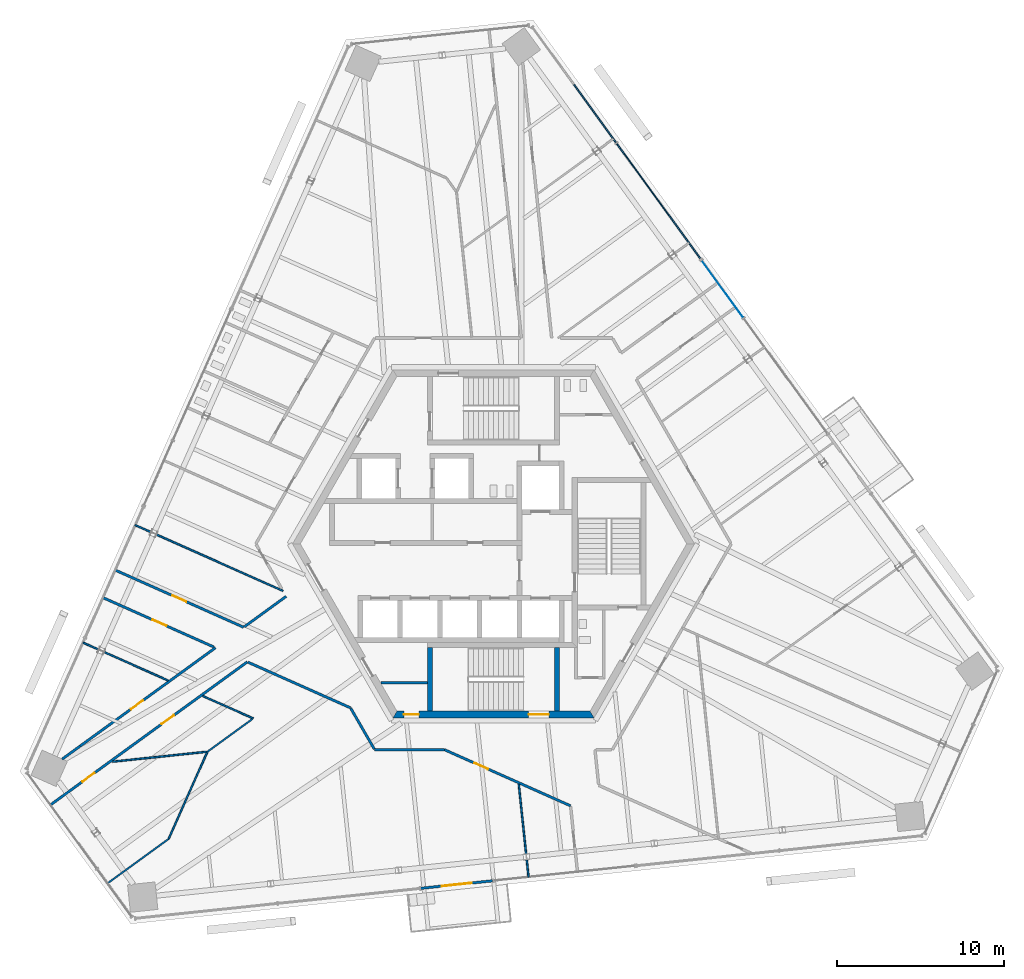
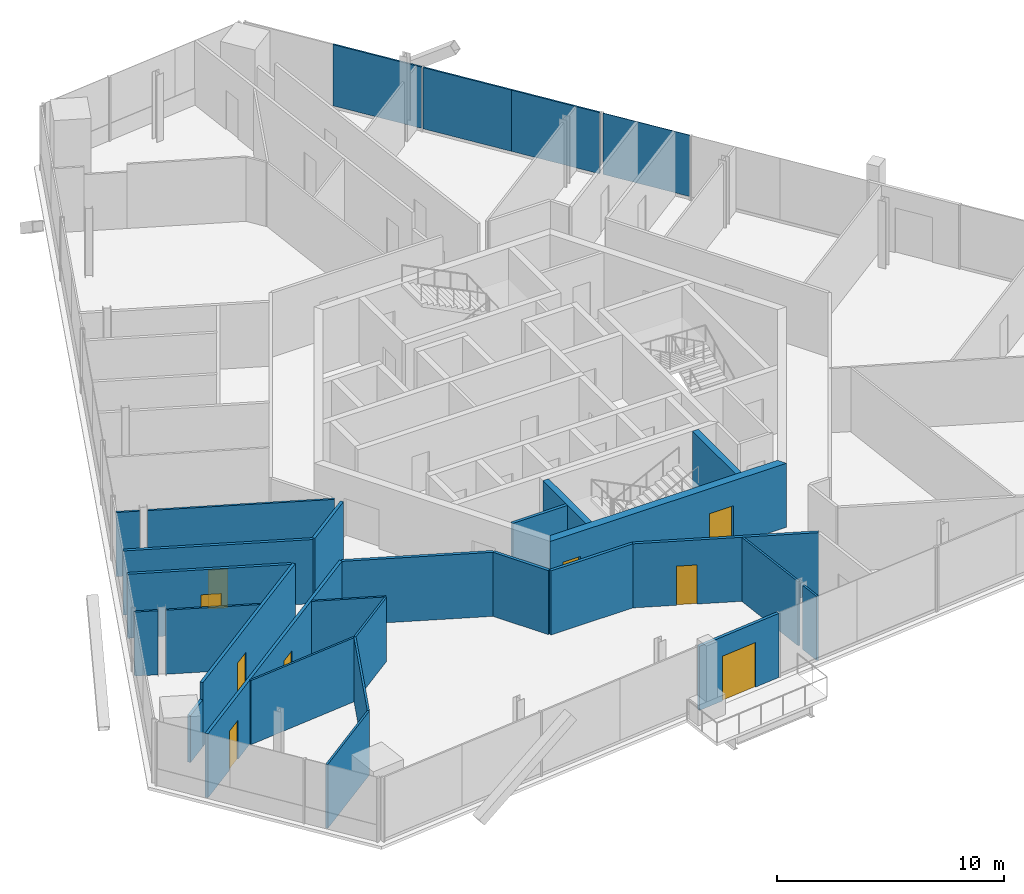
# One storey, part 11 of 19: 26 walls, 9 doors, 4 plates, 9 openings, 2 elements without a shape of their own.
"""IFC4 building model written with IfcOpenShell, lengths in metres."""

from ifc_helpers import new_model, si_unit, direction, frame, frame_2d, origin, origin_2d, place, context, subcontext, project, spatial, polyline, rectangle, outline, extrude, source, transform, mapped, material, layer, layer_set, type_object, element, fill, aggregate, save


model = new_model("IFC4")

# Units and contexts
model_context = context("Model", 3, precision=1e-05, world=origin(), true_north=direction((0.0, 1.0)))
body_context = subcontext(model_context, "Body", "Model", "MODEL_VIEW")
ifc_project = project(units=[si_unit("LENGTHUNIT", "METRE"), si_unit("AREAUNIT", "SQUARE_METRE"), si_unit("VOLUMEUNIT", "CUBIC_METRE"), si_unit("PLANEANGLEUNIT", "RADIAN"), si_unit("MASSUNIT", "GRAM", prefix="KILO")], contexts=[model_context])

# Site, building, storey
site_placement = place(None, origin())
site = spatial("IfcSite", under=ifc_project, at=site_placement, CompositionType="ELEMENT")
building_placement = place(site_placement, origin())
building = spatial("IfcBuilding", under=site, at=building_placement, Name="Triune Harvest Tower", CompositionType="ELEMENT")
storey_placement = place(building_placement, frame((0.0, 0.0, 223.300048828125)))
storey = spatial("IfcBuildingStorey", under=building, at=storey_placement, Name="L58", CompositionType="ELEMENT", Elevation=223.300048828125)

# Curtain wall, plate
ifc_material_1 = material(Name="Aluminium bronze anodised", Category="aluminium")
curtain_wall_type_1 = type_object("IfcCurtainWallType", Name="CW-6 Balcony window wall", PredefinedType="NOTDEFINED", material=ifc_material_1)
curtain_wall_1_placement = place(storey_placement, origin())
curtain_wall_1 = element("IfcCurtainWall", 1, at=curtain_wall_1_placement, inside=storey, type_object=curtain_wall_type_1, Name="CW-6 B6-F1 L58 run 2")
ifc_material_2 = material(Name="Glass", Category="glass")
ifc_layer_1 = layer(ifc_material_2, 0.030029296875)
ifc_layer_set_1 = layer_set([ifc_layer_1], Name="Glass")
plate_type_1 = type_object("IfcPlateType", Name="GL-6 panel 30", PredefinedType="CURTAIN_PANEL", material=ifc_layer_set_1)
shared_shape_1 = source(origin(), body_context, "Body", "SweptSolid", [
    extrude(rectangle(XDim=4.19091796875, YDim=0.030029296875, at=origin_2d()), origin(), (0.0, 0.0, 1.0), 3.2900390625),
])
plate_1_placement = place(storey_placement, frame((13.676025390625, 15.20849609375, 0.14990234375), z_axis=(0.0, 0.0, 1.0), x_axis=(-0.587785566124, 0.809016766363, 0.0)))
plate_1 = element("IfcPlate", 2, at=plate_1_placement, type_object=plate_type_1, Name="CW-6 panel B6-F1 2.3", PredefinedType="CURTAIN_PANEL", context=body_context, shape_type="MappedRepresentation", body=[
    mapped(shared_shape_1, transform((0.0, 0.0, 0.0), scale=1.0)),
])
aggregate(curtain_wall_1, [plate_1])

# Curtain wall, plates
ifc_material_3 = material(Name="Aluminium bronze anodised", Category="aluminium")
curtain_wall_type_2 = type_object("IfcCurtainWallType", Name="CW-10 Balcony window wall with insulated spandrel infill", PredefinedType="NOTDEFINED", material=ifc_material_3)
curtain_wall_2_placement = place(storey_placement, origin())
curtain_wall_2 = element("IfcCurtainWall", 3, at=curtain_wall_2_placement, inside=storey, type_object=curtain_wall_type_2, Name="CW-10 B6-F1 L58 run 1002")
ifc_material_4 = material(Name="Insulated spandrel panel, bronze aluminium pan", Category="aluminium")
ifc_layer_2 = layer(ifc_material_4, 0.080078125)
ifc_layer_set_2 = layer_set([ifc_layer_2], Name="Insulated spandrel panel, bronze aluminium pan")
plate_type_2 = type_object("IfcPlateType", Name="SP-1 insulated spandrel panel 80", PredefinedType="CURTAIN_PANEL", material=ifc_layer_set_2)
shared_shape_2 = source(origin(), body_context, "Body", "SweptSolid", [
    extrude(rectangle(XDim=4.228515625, YDim=0.080078125, at=origin_2d()), origin(), (0.0, 0.0, 1.0), 3.2900390625),
])
plate_2_placement = place(storey_placement, frame((11.11328125, 18.73583984375, 0.14990234375), z_axis=(0.0, 0.0, 1.0), x_axis=(-0.587785751519, 0.809016631665, 0.0)))
plate_2 = element("IfcPlate", 4, at=plate_2_placement, type_object=plate_type_2, Name="CW-10 panel B6-F1 1002.1", PredefinedType="CURTAIN_PANEL", context=body_context, shape_type="MappedRepresentation", body=[
    mapped(shared_shape_2, transform((0.0, 0.0, 0.0), scale=1.0)),
])
shared_shape_3 = source(origin(), body_context, "Body", "SweptSolid", [
    extrude(rectangle(XDim=4.26611328125, YDim=0.080078125, at=origin_2d()), origin(), (0.0, 0.0, 1.0), 3.2900390625),
])
plate_3_placement = place(storey_placement, frame((8.616943359375, 22.171875, 0.14990234375), z_axis=(0.0, 0.0, 1.0), x_axis=(-0.587785751519, 0.809016631665, 0.0)))
plate_3 = element("IfcPlate", 5, at=plate_3_placement, type_object=plate_type_2, Name="CW-10 panel B6-F1 1002.2", PredefinedType="CURTAIN_PANEL", context=body_context, shape_type="MappedRepresentation", body=[
    mapped(shared_shape_3, transform((0.0, 0.0, 0.0), scale=1.0)),
])
plate_4_placement = place(storey_placement, frame((6.065185546875, 25.683837890625, 0.14990234375), z_axis=(0.0, 0.0, 1.0), x_axis=(-0.587785751519, 0.809016631665, 0.0)))
plate_4 = element("IfcPlate", 6, at=plate_4_placement, type_object=plate_type_2, Name="CW-10 panel B6-F1 1002.3", PredefinedType="CURTAIN_PANEL", context=body_context, shape_type="MappedRepresentation", body=[
    mapped(shared_shape_3, transform((0.0, 0.0, 0.0), scale=1.0)),
])
aggregate(curtain_wall_2, [plate_2, plate_3, plate_4])

# Wall
ifc_material_5 = material(Name="Gypsum board on steel studs", Category="steel")
ifc_layer_3 = layer(ifc_material_5, 0.14990234375)
ifc_layer_set_3 = layer_set([ifc_layer_3], Name="Gypsum board on steel studs")
wall_type_1 = type_object("IfcWallType", Name="Fire Partition 150 mm", PredefinedType="PARTITIONING", material=ifc_layer_set_3)
wall_1_placement = place(storey_placement, frame((-14.666015625, -7.064697265625, 0.0), z_axis=(0.0, 0.0, 1.0), x_axis=(0.91354860904, -0.406729564847, 0.0)))
element("IfcWall", 7, at=wall_1_placement, inside=storey, type_object=wall_type_1, Name="Partition L58 018", PredefinedType="PARTITIONING", context=body_context, shape_type="SweptSolid", body=[
    extrude(rectangle(XDim=6.705322265625, YDim=0.14990234375, at=frame_2d((3.3525390625, 0.0))), origin(), (0.0, 0.0, 1.0), 3.43994140625),
])

# Wall, opening, door
wall_2_placement = place(storey_placement, frame((-22.59326171875, -1.564697265625, 0.0), z_axis=(0.0, 0.0, 1.0), x_axis=(0.913540463394, -0.406747860157, 0.0)))
wall_2 = element("IfcWall", 8, at=wall_2_placement, inside=storey, type_object=wall_type_1, Name="Partition L58 020", PredefinedType="PARTITIONING", context=body_context, shape_type="SweptSolid", body=[
    extrude(rectangle(XDim=8.399658203125, YDim=0.14990234375, at=frame_2d((4.19970703125, 0.0))), origin(), (0.0, 0.0, 1.0), 3.43994140625),
])
opening_1_placement = place(wall_2_placement, frame((3.74951171875, 0.0, 0.0)))
opening_1 = element("IfcOpeningElement", 9, at=opening_1_placement, cuts=wall_2, Name="Opening L58-019", PredefinedType="OPENING", context=body_context, shape_type="SweptSolid", body=[
    extrude(rectangle(XDim=0.89990234375, YDim=2.10009765625, at=frame_2d((0.449951171875, 1.050048828125))), frame((0.0, 0.0849609375, 0.0), z_axis=(0.0, -1.0, 0.0), x_axis=(1.0, 0.0, 0.0)), (0.0, 0.0, 1.0), 0.169921875),
])
ifc_material_6 = material(Name="Timber and steel door set", Category="steel")
door_type_1 = type_object("IfcDoorType", Name="Single leaf door FD30 left hand 900 x 2100", OperationType="SINGLE_SWING_LEFT", PredefinedType="DOOR", material=ifc_material_6)
door_1_placement = place(opening_1_placement, origin())
door_1 = element("IfcDoor", 10, at=door_1_placement, inside=storey, type_object=door_type_1, Name="Door L58-019 Office 58.19", OperationType="SINGLE_SWING_LEFT", OverallHeight=2.10009765625, OverallWidth=0.89990234375, PredefinedType="DOOR", context=body_context, shape_type="SweptSolid", body=[
    extrude(rectangle(XDim=0.89990234375, YDim=2.10009765625, at=frame_2d((0.449951171875, 1.050048828125))), frame((0.0, 0.02490234375, 0.0), z_axis=(0.0, -1.0, 0.0), x_axis=(1.0, 0.0, 0.0)), (0.0, 0.0, 1.0), 0.050048828125),
])
fill(opening_1, door_1)

# Wall, openings, doors
wall_3_placement = place(storey_placement, frame((-26.452392578125, -15.585205078125, 0.0), z_axis=(0.0, 0.0, 1.0), x_axis=(0.809019490355, 0.587781816855, 0.0)))
wall_3 = element("IfcWall", 11, at=wall_3_placement, inside=storey, type_object=wall_type_1, Name="Partition L58 046", PredefinedType="PARTITIONING", context=body_context, shape_type="SweptSolid", body=[
    extrude(rectangle(XDim=14.5234375, YDim=0.14990234375, at=frame_2d((7.26171875, 0.0))), origin(), (0.0, 0.0, 1.0), 3.43994140625),
])
opening_2_placement = place(wall_3_placement, frame((8.201904296875, 0.0, 0.0)))
opening_2 = element("IfcOpeningElement", 12, at=opening_2_placement, cuts=wall_3, Name="Opening L58-021", PredefinedType="OPENING", context=body_context, shape_type="SweptSolid", body=[
    extrude(rectangle(XDim=0.89990234375, YDim=2.10009765625, at=frame_2d((0.449951171875, 1.050048828125))), frame((0.0, 0.0849609375, 0.0), z_axis=(0.0, -1.0, 0.0), x_axis=(1.0, 0.0, 0.0)), (0.0, 0.0, 1.0), 0.169921875),
])
opening_3_placement = place(wall_3_placement, frame((2.35009765625, 0.0, 0.0)))
opening_3 = element("IfcOpeningElement", 13, at=opening_3_placement, cuts=wall_3, Name="Opening L58-022", PredefinedType="OPENING", context=body_context, shape_type="SweptSolid", body=[
    extrude(rectangle(XDim=0.89990234375, YDim=2.10009765625, at=frame_2d((0.449951171875, 1.050048828125))), frame((0.0, 0.0849609375, 0.0), z_axis=(0.0, -1.0, 0.0), x_axis=(1.0, 0.0, 0.0)), (0.0, 0.0, 1.0), 0.169921875),
])
door_2_placement = place(opening_2_placement, origin())
door_2 = element("IfcDoor", 14, at=door_2_placement, inside=storey, type_object=door_type_1, Name="Door L58-021 Pantry 58.21", OperationType="SINGLE_SWING_LEFT", OverallHeight=2.10009765625, OverallWidth=0.89990234375, PredefinedType="DOOR", context=body_context, shape_type="SweptSolid", body=[
    extrude(rectangle(XDim=0.89990234375, YDim=2.10009765625, at=frame_2d((0.449951171875, 1.050048828125))), frame((0.0, 0.02490234375, 0.0), z_axis=(0.0, -1.0, 0.0), x_axis=(1.0, 0.0, 0.0)), (0.0, 0.0, 1.0), 0.050048828125),
])
fill(opening_2, door_2)
ifc_material_7 = material(Name="Timber and steel door set", Category="steel")
door_type_2 = type_object("IfcDoorType", Name="Single leaf door FD30 right hand 900 x 2100", OperationType="SINGLE_SWING_RIGHT", PredefinedType="DOOR", material=ifc_material_7)
door_3_placement = place(opening_3_placement, origin())
door_3 = element("IfcDoor", 15, at=door_3_placement, inside=storey, type_object=door_type_2, Name="Door L58-022 Office 58.22", OperationType="SINGLE_SWING_RIGHT", OverallHeight=2.10009765625, OverallWidth=0.89990234375, PredefinedType="DOOR", context=body_context, shape_type="SweptSolid", body=[
    extrude(rectangle(XDim=0.89990234375, YDim=2.10009765625, at=frame_2d((0.449951171875, 1.050048828125))), frame((0.0, 0.02490234375, 0.0), z_axis=(0.0, -1.0, 0.0), x_axis=(1.0, 0.0, 0.0)), (0.0, 0.0, 1.0), 0.050048828125),
])
fill(opening_3, door_3)

# Walls
ifc_material_8 = material(Name="Gypsum board on steel studs", Category="steel")
ifc_layer_4 = layer(ifc_material_8, 0.10009765625)
ifc_layer_set_4 = layer_set([ifc_layer_4], Name="Gypsum board on steel studs")
wall_type_2 = type_object("IfcWallType", Name="Partition 100 mm", PredefinedType="PARTITIONING", material=ifc_layer_set_4)
wall_4_placement = place(storey_placement, frame((-22.7412109375, -13.006103515625, 0.0), z_axis=(0.0, 0.0, 1.0), x_axis=(0.994522103809, 0.10452648007, 0.0)))
element("IfcWall", 16, at=wall_4_placement, inside=storey, type_object=wall_type_2, Name="Partition L58 038", PredefinedType="PARTITIONING", context=body_context, shape_type="SweptSolid", body=[
    extrude(rectangle(XDim=5.61962890625, YDim=0.10009765625, at=frame_2d((2.809814453125, 0.0))), origin(), (0.0, 0.0, 1.0), 3.43994140625),
])
wall_5_placement = place(storey_placement, frame((-23.048828125, -20.27001953125, 0.0), z_axis=(0.0, 0.0, 1.0), x_axis=(0.809027057084, 0.587771401913, 0.0)))
element("IfcWall", 17, at=wall_5_placement, inside=storey, type_object=wall_type_2, Name="Partition L58 042", PredefinedType="PARTITIONING", context=body_context, shape_type="SweptSolid", body=[
    extrude(rectangle(XDim=4.49755859375, YDim=0.10009765625, at=frame_2d((2.248779296875, 0.0))), origin(), (0.0, 0.0, 1.0), 3.43994140625),
])
wall_6_placement = place(storey_placement, frame((-17.082763671875, -12.41162109375, 0.0), z_axis=(0.0, 0.0, 1.0), x_axis=(0.809013420252, 0.587790171619, 0.0)))
element("IfcWall", 18, at=wall_6_placement, inside=storey, type_object=wall_type_2, Name="Partition L58 043", PredefinedType="PARTITIONING", context=body_context, shape_type="SweptSolid", body=[
    extrude(rectangle(XDim=3.310791015625, YDim=0.10009765625, at=frame_2d((1.6552734375, 0.0))), origin(), (0.0, 0.0, 1.0), 3.43994140625),
])
wall_7_placement = place(storey_placement, frame((-19.40234375, -17.620361328125, 0.0), z_axis=(0.0, 0.0, 1.0), x_axis=(0.406758110458, 0.913535899446, 0.0)))
element("IfcWall", 19, at=wall_7_placement, inside=storey, type_object=wall_type_2, Name="Partition L58 059", PredefinedType="PARTITIONING", context=body_context, shape_type="SweptSolid", body=[
    extrude(rectangle(XDim=5.701904296875, YDim=0.10009765625, at=frame_2d((2.85107421875, 0.0))), origin(), (0.0, 0.0, 1.0), 3.43994140625),
])

# Wall, openings, doors
ifc_material_9 = material(Name="Concrete 70 MPa", Category="concrete")
ifc_layer_5 = layer(ifc_material_9, 0.39990234375)
ifc_layer_set_5 = layer_set([ifc_layer_5], Name="Concrete 70 MPa")
wall_type_3 = type_object("IfcWallType", Name="Core wall 400", PredefinedType="SHEAR", material=ifc_layer_set_5)
shared_shape_4 = source(origin(), body_context, "Body", "SweptSolid", [
    extrude(outline(polyline([(-0.115478515625, -0.199951171875), (11.884521484375, -0.199951171875), (11.653564453125, 0.199951171875), (0.115478515625, 0.199951171875), (-0.115478515625, -0.199951171875)])), origin(), (0.0, 0.0, 1.0), 3.43994140625),
])
wall_8_placement = place(storey_placement, frame((-5.884521484375, -10.1923828125, 0.0), z_axis=(0.0, 0.0, 1.0), x_axis=(1.0, 0.0, 0.0)))
wall_8 = element("IfcWall", 20, at=wall_8_placement, inside=storey, type_object=wall_type_3, Name="Hexagon 4 wall", PredefinedType="SHEAR", context=body_context, shape_type="MappedRepresentation", body=[
    mapped(shared_shape_4, transform((0.0, 0.0, 0.0), scale=1.0)),
])
opening_4_placement = place(wall_8_placement, frame((7.984619140625, 0.0, 0.0)))
opening_4 = element("IfcOpeningElement", 21, at=opening_4_placement, cuts=wall_8, Name="Opening CD-S2P", PredefinedType="OPENING", context=body_context, shape_type="SweptSolid", body=[
    extrude(rectangle(XDim=1.199951171875, YDim=2.10009765625, at=frame_2d((0.60009765625, 1.050048828125))), frame((0.0, 0.2099609375, 0.0), z_axis=(0.0, -1.0, 0.0), x_axis=(1.0, 0.0, 0.0)), (0.0, 0.0, 1.0), 0.419921875),
])
opening_5_placement = place(wall_8_placement, frame((0.534423828125, 0.0, 0.0)))
opening_5 = element("IfcOpeningElement", 22, at=opening_5_placement, cuts=wall_8, Name="Opening CD-SWS", PredefinedType="OPENING", context=body_context, shape_type="SweptSolid", body=[
    extrude(rectangle(XDim=0.89990234375, YDim=2.10009765625, at=frame_2d((0.449951171875, 1.050048828125))), frame((0.0, 0.2099609375, 0.0), z_axis=(0.0, -1.0, 0.0), x_axis=(1.0, 0.0, 0.0)), (0.0, 0.0, 1.0), 0.419921875),
])
ifc_material_10 = material(Name="Steel S235", Category="steel")
door_type_3 = type_object("IfcDoorType", Name="Riser door 900 FD120", OperationType="SINGLE_SWING_LEFT", PredefinedType="DOOR", material=ifc_material_10)
door_4_placement = place(opening_5_placement, frame((0.89990234375, 0.0, 0.0), z_axis=(0.0, 0.0, 1.0), x_axis=(-1.0, 0.0, 0.0)))
door_4 = element("IfcDoor", 23, at=door_4_placement, inside=storey, type_object=door_type_3, Name="Door CD-SWS", OperationType="SINGLE_SWING_RIGHT", OverallHeight=2.10009765625, OverallWidth=0.89990234375, PredefinedType="DOOR", context=body_context, shape_type="SweptSolid", body=[
    extrude(rectangle(XDim=0.89990234375, YDim=2.10009765625, at=frame_2d((0.449951171875, 1.050048828125))), frame((0.0, 0.02490234375, 0.0), z_axis=(0.0, -1.0, 0.0), x_axis=(1.0, 0.0, 0.0)), (0.0, 0.0, 1.0), 0.050048828125),
])
fill(opening_5, door_4)
ifc_material_11 = material(Name="Steel S235", Category="steel")
door_type_4 = type_object("IfcDoorType", Name="Stair door 1200 FD120", OperationType="SINGLE_SWING_LEFT", PredefinedType="DOOR", material=ifc_material_11)
door_5_placement = place(opening_4_placement, frame((1.199951171875, 0.0, 0.0), z_axis=(0.0, 0.0, 1.0), x_axis=(-1.0, 0.0, 0.0)))
door_5 = element("IfcDoor", 24, at=door_5_placement, inside=storey, type_object=door_type_4, Name="Door CD-S2P", OperationType="SINGLE_SWING_RIGHT", OverallHeight=2.10009765625, OverallWidth=1.199951171875, PredefinedType="DOOR", context=body_context, shape_type="SweptSolid", body=[
    extrude(rectangle(XDim=1.199951171875, YDim=2.10009765625, at=frame_2d((0.60009765625, 1.050048828125))), frame((0.0, 0.02490234375, 0.0), z_axis=(0.0, -1.0, 0.0), x_axis=(1.0, 0.0, 0.0)), (0.0, 0.0, 1.0), 0.050048828125),
])
fill(opening_4, door_5)

# Walls
ifc_material_12 = material(Name="Concrete 70 MPa", Category="concrete")
ifc_layer_6 = layer(ifc_material_12, 0.300048828125)
ifc_layer_set_6 = layer_set([ifc_layer_6], Name="Concrete 70 MPa")
wall_type_4 = type_object("IfcWallType", Name="Core wall 300", PredefinedType="SHEAR", material=ifc_layer_set_6)
shared_shape_5 = source(origin(), body_context, "Body", "SweptSolid", [
    extrude(outline(polyline([(3.800048828125, -0.14990234375), (-0.00439453125, -0.14990234375), (-0.00439453125, 0.14990234375), (3.800048828125, 0.14990234375), (3.800048828125, -0.14990234375)])), origin(), (0.0, 0.0, 1.0), 3.43994140625),
])
for number, where, z_axis, x_axis, name in (
    (25, (-3.800048828125, -9.989990234375, 0.0), (0.0, 0.0, 1.0), (0.0, 1.0, 0.0), "Stair s west wall"),
    (26, (3.800048828125, -9.989990234375, 0.0), (0.0, 0.0, 1.0), (0.0, 1.0, 0.0), "Stair s east wall"),
):
    element("IfcWall", number, at=place(storey_placement, frame(where, z_axis=z_axis, x_axis=x_axis)), inside=storey, type_object=wall_type_4, Name=name, PredefinedType="SHEAR", context=body_context, shape_type="MappedRepresentation", body=[
        mapped(shared_shape_5, transform((0.0, 0.0, 0.0), scale=1.0)),
    ])
ifc_material_13 = material(Name="Concrete masonry unit", Category="masonry")
ifc_layer_7 = layer(ifc_material_13, 0.14990234375)
ifc_layer_set_7 = layer_set([ifc_layer_7], Name="Concrete masonry unit")
wall_type_5 = type_object("IfcWallType", Name="Block partition 150", PredefinedType="PARTITIONING", material=ifc_layer_set_7)
shared_shape_6 = source(origin(), body_context, "Body", "SweptSolid", [
    extrude(rectangle(XDim=2.777099609375, YDim=0.14990234375, at=frame_2d((1.388671875, 0.0))), origin(), (0.0, 0.0, 1.0), 3.43994140625),
])
wall_9_placement = place(storey_placement, frame((-6.72705078125, -8.300048828125, 0.0), z_axis=(0.0, 0.0, 1.0), x_axis=(1.0, 0.0, 0.0)))
element("IfcWall", 27, at=wall_9_placement, inside=storey, type_object=wall_type_5, Name="Sw part wall", PredefinedType="PARTITIONING", context=body_context, shape_type="MappedRepresentation", body=[
    mapped(shared_shape_6, transform((0.0, 0.0, 0.0), scale=1.0)),
])

# Wall, opening, door
ifc_material_14 = material(Name="Aluminium bronze anodised", Category="aluminium")
ifc_layer_8 = layer(ifc_material_14, 0.14990234375)
ifc_layer_set_8 = layer_set([ifc_layer_8], Name="Aluminium bronze anodised")
wall_type_6 = type_object("IfcWallType", Name="WW-2 balcony window wall", PredefinedType="ELEMENTEDWALL", material=ifc_layer_set_8)
shared_shape_7 = source(origin(), body_context, "Body", "SweptSolid", [
    extrude(rectangle(XDim=4.31640625, YDim=0.14990234375, at=frame_2d((2.158203125, 0.0))), origin(), (0.0, 0.0, 1.0), 3.43994140625),
])
wall_10_placement = place(storey_placement, frame((-0.055419921875, -20.119384765625, 0.0), z_axis=(0.0, 0.0, 1.0), x_axis=(-0.99452217624, -0.104525790917, 0.0)))
wall_10 = element("IfcWall", 28, at=wall_10_placement, inside=storey, type_object=wall_type_6, Name="WW-2 B6-F5 L58.5", PredefinedType="ELEMENTEDWALL", context=body_context, shape_type="MappedRepresentation", body=[
    mapped(shared_shape_7, transform((0.0, 0.0, 0.0), scale=1.0)),
])
opening_6_placement = place(wall_10_placement, frame((1.25830078125, 0.0, 0.0)))
opening_6 = element("IfcOpeningElement", 29, at=opening_6_placement, cuts=wall_10, Name="Opening L58-E02", PredefinedType="OPENING", context=body_context, shape_type="SweptSolid", body=[
    extrude(rectangle(XDim=1.800048828125, YDim=2.39990234375, at=frame_2d((0.89990234375, 1.199951171875))), frame((0.0, 0.0849609375, 0.0), z_axis=(0.0, -1.0, 0.0), x_axis=(1.0, 0.0, 0.0)), (0.0, 0.0, 1.0), 0.169921875),
])
ifc_material_15 = material(Name="Glass", Category="glass")
door_type_5 = type_object("IfcDoorType", Name="DB-1 balcony door 1800 x 2400", OperationType="DOUBLE_DOOR_SINGLE_SWING", PredefinedType="DOOR", material=ifc_material_15)
door_6_placement = place(opening_6_placement, origin())
door_6 = element("IfcDoor", 30, at=door_6_placement, inside=storey, type_object=door_type_5, Name="Door L58-E02", OperationType="DOUBLE_DOOR_SINGLE_SWING", OverallHeight=2.39990234375, OverallWidth=1.800048828125, PredefinedType="DOOR", context=body_context, shape_type="SweptSolid", body=[
    extrude(rectangle(XDim=1.800048828125, YDim=2.39990234375, at=frame_2d((0.89990234375, 1.199951171875))), frame((0.0, 0.02490234375, 0.0), z_axis=(0.0, -1.0, 0.0), x_axis=(1.0, 0.0, 0.0)), (0.0, 0.0, 1.0), 0.050048828125),
])
fill(opening_6, door_6)

# Walls
shared_shape_8 = source(origin(), body_context, "Body", "SweptSolid", [
    extrude(rectangle(XDim=4.189697265625, YDim=0.10009765625, at=frame_2d((2.0947265625, 0.0))), origin(), (0.0, 0.0, 1.0), 3.43994140625),
])
wall_11_placement = place(storey_placement, frame((1.508544921875, -14.351318359375, 0.0), z_axis=(0.0, 0.0, 1.0), x_axis=(0.104539184312, -0.994520768483, 0.0)))
element("IfcWall", 31, at=wall_11_placement, inside=storey, type_object=wall_type_2, Name="Partition L58 002", PredefinedType="PARTITIONING", context=body_context, shape_type="MappedRepresentation", body=[
    mapped(shared_shape_8, transform((0.0, 0.0, 0.0), scale=1.0)),
])
shared_shape_9 = source(origin(), body_context, "Body", "SweptSolid", [
    extrude(rectangle(XDim=1.0478515625, YDim=0.10009765625, at=frame_2d((0.52392578125, 0.0))), origin(), (0.0, 0.0, 1.0), 3.43994140625),
])
for number, where, z_axis, x_axis, name in (
    (32, (1.981689453125, -18.851806640625, 0.0), (0.0, 0.0, 1.0), (0.104624136351, -0.994511835069, 0.0), "Partition L58 003"),
    (33, (-21.397705078125, 1.12060546875, 0.0), (0.0, 0.0, 1.0), (0.913609658968, -0.406592413899, 0.0), "Partition L58 022"),
):
    element("IfcWall", number, at=place(storey_placement, frame(where, z_axis=z_axis, x_axis=x_axis)), inside=storey, type_object=wall_type_2, Name=name, PredefinedType="PARTITIONING", context=body_context, shape_type="MappedRepresentation", body=[
        mapped(shared_shape_9, transform((0.0, 0.0, 0.0), scale=1.0)),
    ])
shared_shape_10 = source(origin(), body_context, "Body", "SweptSolid", [
    extrude(rectangle(XDim=2.80712890625, YDim=0.14990234375, at=frame_2d((1.403564453125, 0.0))), origin(), (0.0, 0.0, 1.0), 3.43994140625),
])
wall_12_placement = place(storey_placement, frame((-8.525390625, -9.818115234375, 0.0), z_axis=(0.0, 0.0, 1.0), x_axis=(0.500021093737, -0.866013224967, 0.0)))
element("IfcWall", 34, at=wall_12_placement, inside=storey, type_object=wall_type_1, Name="Partition L58 010", PredefinedType="PARTITIONING", context=body_context, shape_type="MappedRepresentation", body=[
    mapped(shared_shape_10, transform((0.0, 0.0, 0.0), scale=1.0)),
])
shared_shape_11 = source(origin(), body_context, "Body", "SweptSolid", [
    extrude(rectangle(XDim=1.047607421875, YDim=0.10009765625, at=frame_2d((0.52392578125, 0.0))), origin(), (0.0, 0.0, 1.0), 3.43994140625),
])
wall_13_placement = place(storey_placement, frame((-24.52099609375, -5.89501953125, 0.0), z_axis=(0.0, 0.0, 1.0), x_axis=(0.91357112701, -0.406678983835, 0.0)))
element("IfcWall", 35, at=wall_13_placement, inside=storey, type_object=wall_type_2, Name="Partition L58 014", PredefinedType="PARTITIONING", context=body_context, shape_type="MappedRepresentation", body=[
    mapped(shared_shape_11, transform((0.0, 0.0, 0.0), scale=1.0)),
])
shared_shape_12 = source(origin(), body_context, "Body", "SweptSolid", [
    extrude(rectangle(XDim=4.18994140625, YDim=0.10009765625, at=frame_2d((2.094970703125, 0.0))), origin(), (0.0, 0.0, 1.0), 3.43994140625),
])
wall_14_placement = place(storey_placement, frame((-23.25732421875, -6.45751953125, 0.0), z_axis=(0.0, 0.0, 1.0), x_axis=(0.913530200231, -0.406770910053, 0.0)))
element("IfcWall", 36, at=wall_14_placement, inside=storey, type_object=wall_type_2, Name="Partition L58 015", PredefinedType="PARTITIONING", context=body_context, shape_type="MappedRepresentation", body=[
    mapped(shared_shape_12, transform((0.0, 0.0, 0.0), scale=1.0)),
])
shared_shape_13 = source(origin(), body_context, "Body", "SweptSolid", [
    extrude(rectangle(XDim=3.3046875, YDim=0.10009765625, at=frame_2d((1.65234375, 0.0))), origin(), (0.0, 0.0, 1.0), 3.43994140625),
])
wall_15_placement = place(storey_placement, frame((-17.366943359375, -9.080078125, 0.0), z_axis=(0.0, 0.0, 1.0), x_axis=(0.913537165463, -0.406755267106, 0.0)))
element("IfcWall", 37, at=wall_15_placement, inside=storey, type_object=wall_type_2, Name="Partition L58 016", PredefinedType="PARTITIONING", context=body_context, shape_type="MappedRepresentation", body=[
    mapped(shared_shape_13, transform((0.0, 0.0, 0.0), scale=1.0)),
])

# Wall, opening, door
shared_shape_14 = source(origin(), body_context, "Body", "SweptSolid", [
    extrude(rectangle(XDim=7.250244140625, YDim=0.14990234375, at=frame_2d((3.625, 0.0))), origin(), (0.0, 0.0, 1.0), 3.43994140625),
])
wall_16_placement = place(storey_placement, frame((-23.32568359375, -3.209228515625, 0.0), z_axis=(0.0, 0.0, 1.0), x_axis=(0.913546136193, -0.406735119022, 0.0)))
wall_16 = element("IfcWall", 38, at=wall_16_placement, inside=storey, type_object=wall_type_1, Name="Partition L58 017", PredefinedType="PARTITIONING", context=body_context, shape_type="MappedRepresentation", body=[
    mapped(shared_shape_14, transform((0.0, 0.0, 0.0), scale=1.0)),
])
opening_7_placement = place(wall_16_placement, frame((3.25, 0.0, 0.0)))
opening_7 = element("IfcOpeningElement", 39, at=opening_7_placement, cuts=wall_16, Name="Opening L58-018", PredefinedType="OPENING", context=body_context, shape_type="SweptSolid", body=[
    extrude(rectangle(XDim=0.89990234375, YDim=2.10009765625, at=frame_2d((0.449951171875, 1.050048828125))), frame((0.0, 0.0849609375, 0.0), z_axis=(0.0, -1.0, 0.0), x_axis=(1.0, 0.0, 0.0)), (0.0, 0.0, 1.0), 0.169921875),
])
door_7_placement = place(opening_7_placement, origin())
door_7 = element("IfcDoor", 40, at=door_7_placement, inside=storey, type_object=door_type_1, Name="Door L58-018 Meeting Room 58.18", OperationType="SINGLE_SWING_LEFT", OverallHeight=2.10009765625, OverallWidth=0.89990234375, PredefinedType="DOOR", context=body_context, shape_type="SweptSolid", body=[
    extrude(rectangle(XDim=0.89990234375, YDim=2.10009765625, at=frame_2d((0.449951171875, 1.050048828125))), frame((0.0, 0.02490234375, 0.0), z_axis=(0.0, -1.0, 0.0), x_axis=(1.0, 0.0, 0.0)), (0.0, 0.0, 1.0), 0.050048828125),
])
fill(opening_7, door_7)

shared_shape_15 = source(origin(), body_context, "Body", "SweptSolid", [
    extrude(rectangle(XDim=8.2373046875, YDim=0.14990234375, at=frame_2d((4.11865234375, 0.0))), origin(), (0.0, 0.0, 1.0), 3.43994140625),
])
wall_17_placement = place(storey_placement, frame((-2.925048828125, -12.292236328125, 0.0), z_axis=(0.0, 0.0, 1.0), x_axis=(0.913548582705, -0.406729623997, 0.0)))
wall_17 = element("IfcWall", 41, at=wall_17_placement, inside=storey, type_object=wall_type_1, Name="Partition L58 019", PredefinedType="PARTITIONING", context=body_context, shape_type="MappedRepresentation", body=[
    mapped(shared_shape_15, transform((0.0, 0.0, 0.0), scale=1.0)),
])
opening_8_placement = place(wall_17_placement, frame((1.9501953125, 0.0, 0.0)))
opening_8 = element("IfcOpeningElement", 42, at=opening_8_placement, cuts=wall_17, Name="Opening L58-023", PredefinedType="OPENING", context=body_context, shape_type="SweptSolid", body=[
    extrude(rectangle(XDim=0.89990234375, YDim=2.10009765625, at=frame_2d((0.449951171875, 1.050048828125))), frame((0.0, 0.0849609375, 0.0), z_axis=(0.0, -1.0, 0.0), x_axis=(1.0, 0.0, 0.0)), (0.0, 0.0, 1.0), 0.169921875),
])
door_8_placement = place(opening_8_placement, origin())
door_8 = element("IfcDoor", 43, at=door_8_placement, inside=storey, type_object=door_type_2, Name="Door L58-023 Open Office 58.23", OperationType="SINGLE_SWING_RIGHT", OverallHeight=2.10009765625, OverallWidth=0.89990234375, PredefinedType="DOOR", context=body_context, shape_type="SweptSolid", body=[
    extrude(rectangle(XDim=0.89990234375, YDim=2.10009765625, at=frame_2d((0.449951171875, 1.050048828125))), frame((0.0, 0.02490234375, 0.0), z_axis=(0.0, -1.0, 0.0), x_axis=(1.0, 0.0, 0.0)), (0.0, 0.0, 1.0), 0.050048828125),
])
fill(opening_8, door_8)

# Walls
shared_shape_16 = source(origin(), body_context, "Body", "SweptSolid", [
    extrude(rectangle(XDim=8.277099609375, YDim=0.10009765625, at=frame_2d((4.138671875, 0.0))), origin(), (0.0, 0.0, 1.0), 3.43994140625),
])
wall_18_placement = place(storey_placement, frame((-20.1337890625, 0.55810546875, 0.0), z_axis=(0.0, 0.0, 1.0), x_axis=(0.913541324014, -0.40674592723, 0.0)))
element("IfcWall", 44, at=wall_18_placement, inside=storey, type_object=wall_type_2, Name="Partition L58 023", PredefinedType="PARTITIONING", context=body_context, shape_type="MappedRepresentation", body=[
    mapped(shared_shape_16, transform((0.0, 0.0, 0.0), scale=1.0)),
])
shared_shape_17 = source(origin(), body_context, "Body", "SweptSolid", [
    extrude(rectangle(XDim=4.162109375, YDim=0.14990234375, at=frame_2d((2.0810546875, 0.0))), origin(), (0.0, 0.0, 1.0), 3.43994140625),
])
wall_19_placement = place(storey_placement, frame((-7.096923828125, -12.292236328125, 0.0), z_axis=(0.0, 0.0, 1.0), x_axis=(1.0, 0.0, 0.0)))
element("IfcWall", 45, at=wall_19_placement, inside=storey, type_object=wall_type_1, Name="Partition L58 034", PredefinedType="PARTITIONING", context=body_context, shape_type="MappedRepresentation", body=[
    mapped(shared_shape_17, transform((0.0, 0.0, 0.0), scale=1.0)),
])
shared_shape_18 = source(origin(), body_context, "Body", "SweptSolid", [
    extrude(rectangle(XDim=1.33837890625, YDim=0.14990234375, at=frame_2d((0.669189453125, 0.0))), origin(), (0.0, 0.0, 1.0), 2.525634765625),
])
wall_20_placement = place(storey_placement, frame((-25.76025390625, -12.857421875, 0.0), z_axis=(0.0, 0.0, 1.0), x_axis=(0.809035740831, 0.587759449145, 0.0)))
element("IfcWall", 46, at=wall_20_placement, inside=storey, type_object=wall_type_1, Name="Partition L58 048", PredefinedType="PARTITIONING", context=body_context, shape_type="MappedRepresentation", body=[
    mapped(shared_shape_18, transform((0.0, 0.0, 0.0), scale=1.0)),
])

# Wall, opening, door
shared_shape_19 = source(origin(), body_context, "Body", "SweptSolid", [
    extrude(rectangle(XDim=9.982666015625, YDim=0.14990234375, at=frame_2d((4.9912109375, 0.0))), origin(), (0.0, 0.0, 1.0), 3.43994140625),
])
wall_21_placement = place(storey_placement, frame((-24.677490234375, -12.07080078125, 0.0), z_axis=(0.0, 0.0, 1.0), x_axis=(0.808997226616, 0.587812459316, 0.0)))
wall_21 = element("IfcWall", 47, at=wall_21_placement, inside=storey, type_object=wall_type_1, Name="Partition L58 048a", PredefinedType="PARTITIONING", context=body_context, shape_type="MappedRepresentation", body=[
    mapped(shared_shape_19, transform((0.0, 0.0, 0.0), scale=1.0)),
])
opening_9_placement = place(wall_21_placement, frame((3.73828125, 0.0, 0.0)))
opening_9 = element("IfcOpeningElement", 48, at=opening_9_placement, cuts=wall_21, Name="Opening L58-020", PredefinedType="OPENING", context=body_context, shape_type="SweptSolid", body=[
    extrude(rectangle(XDim=0.89990234375, YDim=2.10009765625, at=frame_2d((0.449951171875, 1.050048828125))), frame((0.0, 0.0849609375, 0.0), z_axis=(0.0, -1.0, 0.0), x_axis=(1.0, 0.0, 0.0)), (0.0, 0.0, 1.0), 0.169921875),
])
door_9_placement = place(opening_9_placement, origin())
door_9 = element("IfcDoor", 49, at=door_9_placement, inside=storey, type_object=door_type_1, Name="Door L58-020 Pantry 58.20", OperationType="SINGLE_SWING_LEFT", OverallHeight=2.10009765625, OverallWidth=0.89990234375, PredefinedType="DOOR", context=body_context, shape_type="SweptSolid", body=[
    extrude(rectangle(XDim=0.89990234375, YDim=2.10009765625, at=frame_2d((0.449951171875, 1.050048828125))), frame((0.0, 0.02490234375, 0.0), z_axis=(0.0, -1.0, 0.0), x_axis=(1.0, 0.0, 0.0)), (0.0, 0.0, 1.0), 0.050048828125),
])
fill(opening_9, door_9)

# Wall
shared_shape_20 = source(origin(), body_context, "Body", "SweptSolid", [
    extrude(rectangle(XDim=3.086669921875, YDim=0.14990234375, at=frame_2d((1.54345703125, 0.0))), origin(), (0.0, 0.0, 1.0), 3.43994140625),
])
wall_22_placement = place(storey_placement, frame((-14.879638671875, -4.951904296875, 0.0), z_axis=(0.0, 0.0, 1.0), x_axis=(0.809047214606, 0.587743655464, 0.0)))
element("IfcWall", 50, at=wall_22_placement, inside=storey, type_object=wall_type_1, Name="Partition L58 049", PredefinedType="PARTITIONING", context=body_context, shape_type="MappedRepresentation", body=[
    mapped(shared_shape_20, transform((0.0, 0.0, 0.0), scale=1.0)),
])

save(model, "model.ifc")
